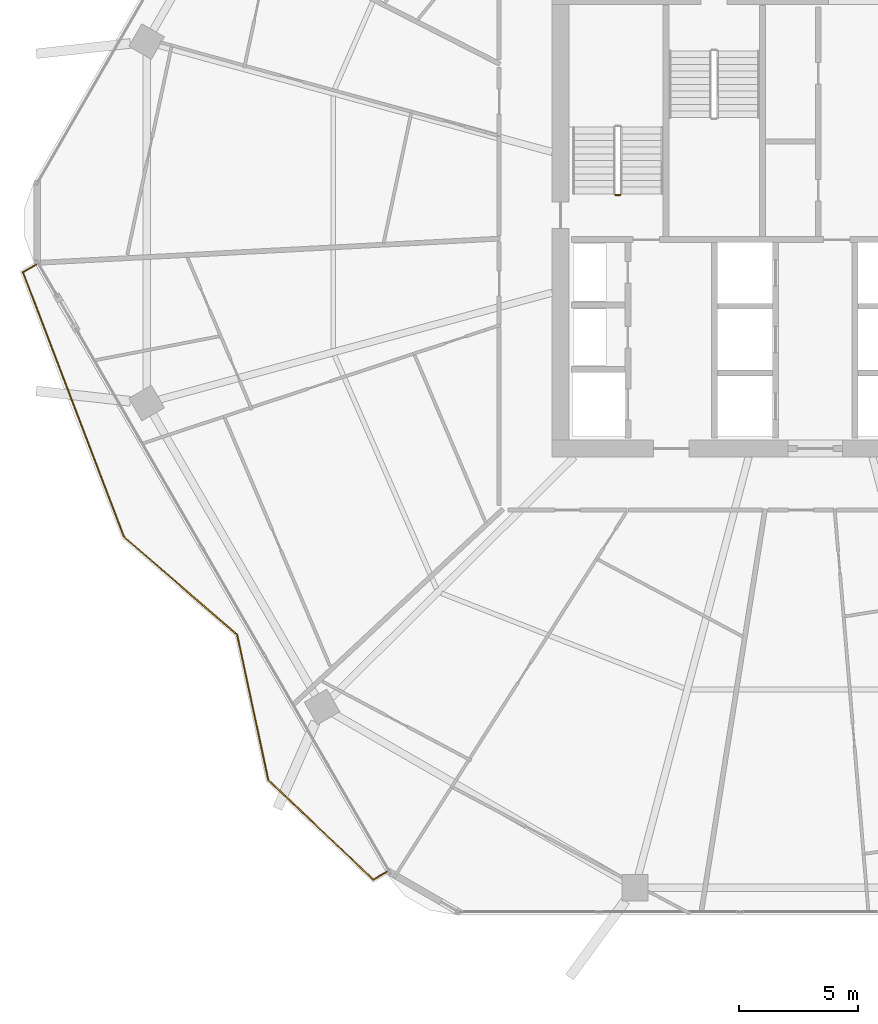
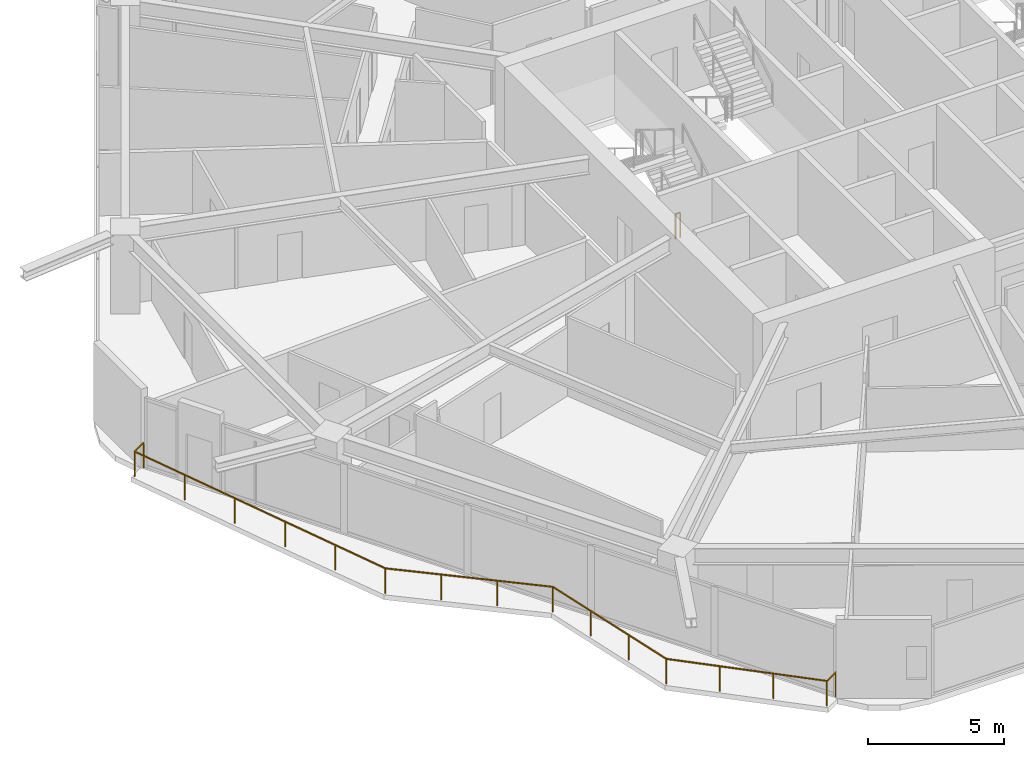
# One storey, part 27 of 29: 2 railings.
"""IFC4 building model written with IfcOpenShell, lengths in metres."""

from ifc_helpers import new_model, si_unit, direction, frame, origin, origin_2d, place, context, subcontext, project, spatial, rectangle, extrude, material, type_object, element, save


model = new_model("IFC4")

# Units and contexts
model_context = context("Model", 3, precision=1e-05, world=origin(), true_north=direction((0.0, 1.0)))
body_context = subcontext(model_context, "Body", "Model", "MODEL_VIEW")
ifc_project = project(units=[si_unit("LENGTHUNIT", "METRE"), si_unit("AREAUNIT", "SQUARE_METRE"), si_unit("VOLUMEUNIT", "CUBIC_METRE"), si_unit("PLANEANGLEUNIT", "RADIAN"), si_unit("MASSUNIT", "GRAM", prefix="KILO")], contexts=[model_context])

# Site, building, storey
site_placement = place(None, origin())
site = spatial("IfcSite", under=ifc_project, at=site_placement, CompositionType="ELEMENT")
building_placement = place(site_placement, origin())
building = spatial("IfcBuilding", under=site, at=building_placement, Name="Zuhravey Tower", CompositionType="ELEMENT")
storey_placement = place(building_placement, frame((0.0, 0.0, 134.199951171875)))
storey = spatial("IfcBuildingStorey", under=building, at=storey_placement, Name="L33", CompositionType="ELEMENT", Elevation=134.199951171875)

# Railings
ifc_material_1 = material(Name="Stainless steel 316 and laminated glass", Category="steel")
railing_type_1 = type_object("IfcRailingType", Name="Balcony & Terrace Guardrail 1150", PredefinedType="BALUSTRADE", material=ifc_material_1)
railing_1_placement = place(storey_placement, frame((18.2119140625, 4.72314453125, 0.0)))
element("IfcRailing", 1, at=railing_1_placement, inside=storey, type_object=railing_type_1, Name="L33 Face 4 Wave Balcony Guardrail GR1", PredefinedType="BALUSTRADE", context=body_context, shape_type="SweptSolid", body=[
    extrude(rectangle(XDim=0.048095703125, YDim=0.048095703125, at=origin_2d()), frame((-0.001708984375, -0.0009765625, 1.1259765625), z_axis=(-0.866045096311, -0.499965889992, 0.0), x_axis=(0.499965889992, -0.866045096311, 0.0)), (0.0, 0.0, 1.0), 0.66162109375),
    extrude(rectangle(XDim=0.048095703125, YDim=0.048095703125, at=origin_2d()), frame((-0.577880859375, -0.331298828125, 1.1259765625), z_axis=(-0.725645623728, 0.688068622134, 0.0), x_axis=(-0.688068622134, -0.725645623728, 0.0)), (0.0, 0.0, 1.0), 6.0771484375),
    extrude(rectangle(XDim=0.048095703125, YDim=0.048095703125, at=origin_2d()), frame((-4.98974609375, 3.853515625, 1.1259765625), z_axis=(-0.209628021954, 0.977781208866, 0.0), x_axis=(-0.977781208866, -0.209628021954, 0.0)), (0.0, 0.0, 1.0), 6.2314453125),
    extrude(rectangle(XDim=0.048095703125, YDim=0.048095703125, at=origin_2d()), frame((-6.2978515625, 9.94970703125, 1.1259765625), z_axis=(-0.755885127076, 0.654704265043, 0.0), x_axis=(-0.654704265043, -0.755885127076, 0.0)), (0.0, 0.0, 1.0), 6.28173828125),
    extrude(rectangle(XDim=0.048095703125, YDim=0.048095703125, at=origin_2d()), frame((-11.04833984375, 14.065673828125, 1.1259765625), z_axis=(-0.356913768861, 0.934137335512, 0.0), x_axis=(-0.934137335512, -0.356913768861, 0.0)), (0.0, 0.0, 1.0), 11.89892578125),
    extrude(rectangle(XDim=0.048095703125, YDim=0.048095703125, at=origin_2d()), frame((-15.294189453125, 25.18359375, 1.1259765625), z_axis=(0.865987003449, 0.500066505434, 0.0), x_axis=(-0.500066505434, 0.865987003449, 0.0)), (0.0, 0.0, 1.0), 0.651123046875),
    extrude(rectangle(XDim=0.0419921875, YDim=0.0419921875, at=origin_2d()), origin(), (0.0, 0.0, 1.0), 1.099853515625),
    extrude(rectangle(XDim=0.0419921875, YDim=0.0419921875, at=origin_2d()), frame((-0.576416015625, -0.332763671875, 0.0)), (0.0, 0.0, 1.0), 1.099853515625),
    extrude(rectangle(XDim=0.0419921875, YDim=0.0419921875, at=origin_2d()), frame((-2.04736328125, 1.06201171875, 0.0)), (0.0, 0.0, 1.0), 1.099853515625),
    extrude(rectangle(XDim=0.0419921875, YDim=0.0419921875, at=origin_2d()), frame((-3.518310546875, 2.456787109375, 0.0)), (0.0, 0.0, 1.0), 1.099853515625),
    extrude(rectangle(XDim=0.0419921875, YDim=0.0419921875, at=origin_2d()), frame((-4.9892578125, 3.8515625, 0.0)), (0.0, 0.0, 1.0), 1.099853515625),
    extrude(rectangle(XDim=0.0419921875, YDim=0.0419921875, at=origin_2d()), frame((-5.425048828125, 5.8837890625, 0.0)), (0.0, 0.0, 1.0), 1.099853515625),
    extrude(rectangle(XDim=0.0419921875, YDim=0.0419921875, at=origin_2d()), frame((-5.860595703125, 7.916259765625, 0.0)), (0.0, 0.0, 1.0), 1.099853515625),
    extrude(rectangle(XDim=0.0419921875, YDim=0.0419921875, at=origin_2d()), frame((-6.29638671875, 9.948486328125, 0.0)), (0.0, 0.0, 1.0), 1.099853515625),
    extrude(rectangle(XDim=0.0419921875, YDim=0.0419921875, at=origin_2d()), frame((-7.880126953125, 11.3203125, 0.0)), (0.0, 0.0, 1.0), 1.099853515625),
    extrude(rectangle(XDim=0.0419921875, YDim=0.0419921875, at=origin_2d()), frame((-9.4638671875, 12.69189453125, 0.0)), (0.0, 0.0, 1.0), 1.099853515625),
    extrude(rectangle(XDim=0.0419921875, YDim=0.0419921875, at=origin_2d()), frame((-11.047607421875, 14.063720703125, 0.0)), (0.0, 0.0, 1.0), 1.099853515625),
    extrude(rectangle(XDim=0.0419921875, YDim=0.0419921875, at=origin_2d()), frame((-11.897216796875, 16.28759765625, 0.0)), (0.0, 0.0, 1.0), 1.099853515625),
    extrude(rectangle(XDim=0.0419921875, YDim=0.0419921875, at=origin_2d()), frame((-12.746826171875, 18.51123046875, 0.0)), (0.0, 0.0, 1.0), 1.099853515625),
    extrude(rectangle(XDim=0.0419921875, YDim=0.0419921875, at=origin_2d()), frame((-13.5966796875, 20.735107421875, 0.0)), (0.0, 0.0, 1.0), 1.099853515625),
    extrude(rectangle(XDim=0.0419921875, YDim=0.0419921875, at=origin_2d()), frame((-14.4462890625, 22.958740234375, 0.0)), (0.0, 0.0, 1.0), 1.099853515625),
    extrude(rectangle(XDim=0.0419921875, YDim=0.0419921875, at=origin_2d()), frame((-15.2958984375, 25.1826171875, 0.0)), (0.0, 0.0, 1.0), 1.099853515625),
    extrude(rectangle(XDim=0.0419921875, YDim=0.0419921875, at=origin_2d()), frame((-14.728515625, 25.51025390625, 0.0)), (0.0, 0.0, 1.0), 1.099853515625),
])
ifc_material_2 = material(Name="Painted tubular steel", Category="steel")
railing_type_2 = type_object("IfcRailingType", Name="Stair Well Guardrail 1150", PredefinedType="GUARDRAIL", material=ifc_material_2)
railing_2_placement = place(storey_placement, frame((28.0, 33.14990234375, 0.0)))
element("IfcRailing", 2, at=railing_2_placement, inside=storey, type_object=railing_type_2, Name="L33 ST1 stair guard 4", PredefinedType="GUARDRAIL", context=body_context, shape_type="SweptSolid", body=[
    extrude(rectangle(XDim=0.048095703125, YDim=0.048095703125, at=origin_2d()), frame((-0.001953125, 0.0, 1.1259765625), z_axis=(-1.0, 0.0, 0.0), x_axis=(0.0, -1.0, 0.0)), (0.0, 0.0, 1.0), 0.196044921875),
    extrude(rectangle(XDim=0.0419921875, YDim=0.0419921875, at=origin_2d()), origin(), (0.0, 0.0, 1.0), 1.099853515625),
    extrude(rectangle(XDim=0.0419921875, YDim=0.0419921875, at=origin_2d()), frame((-0.199951171875, 0.0, 0.0)), (0.0, 0.0, 1.0), 1.099853515625),
])

save(model, "model.ifc")
